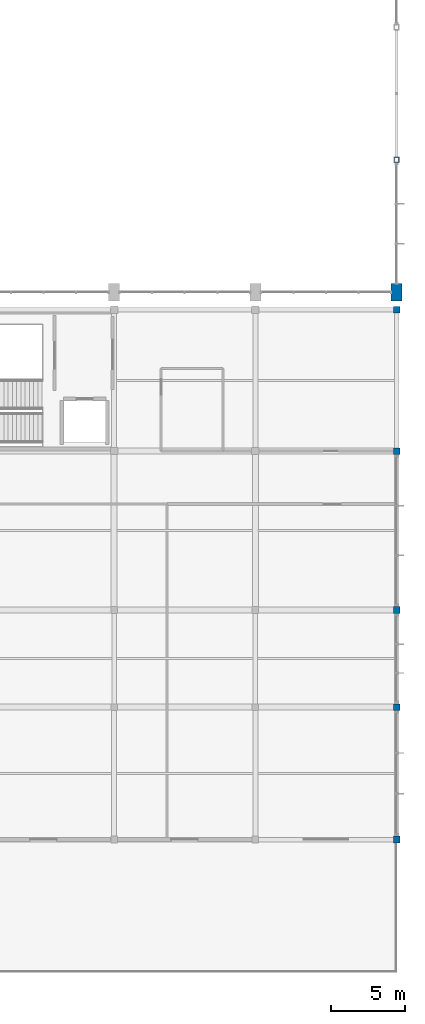
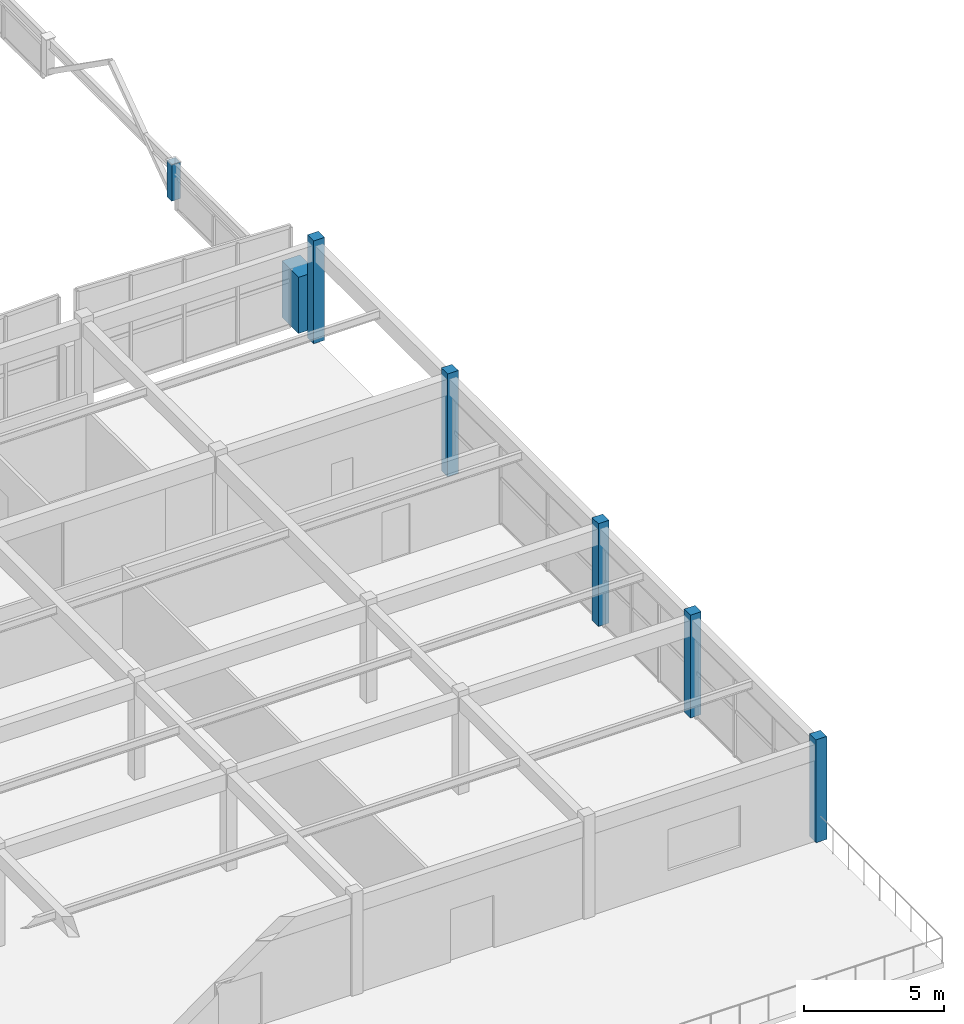
# One storey, part 4 of 89: 7 columns.
"""IFC4 building model written with IfcOpenShell, lengths in metres."""

from ifc_helpers import new_model, si_unit, direction, frame, origin, origin_2d, place, context, subcontext, project, spatial, rectangle, hollow_rectangle, extrude, material, material_profile, profile_set, type_object, element, save


model = new_model("IFC4")

# Units and contexts
model_context = context("Model", 3, precision=1e-05, world=origin(), true_north=direction((0.0, 1.0)))
body_context = subcontext(model_context, "Body", "Model", "MODEL_VIEW")
ifc_project = project(units=[si_unit("LENGTHUNIT", "METRE"), si_unit("AREAUNIT", "SQUARE_METRE"), si_unit("VOLUMEUNIT", "CUBIC_METRE"), si_unit("PLANEANGLEUNIT", "RADIAN"), si_unit("MASSUNIT", "GRAM", prefix="KILO")], contexts=[model_context])

# Site, building, storey
site_placement = place(None, origin())
site = spatial("IfcSite", under=ifc_project, at=site_placement, CompositionType="ELEMENT")
building_placement = place(site_placement, origin())
building = spatial("IfcBuilding", under=site, at=building_placement, Name="Suirenkawa Promenade Aquatics Centre", CompositionType="ELEMENT")
storey_placement = place(building_placement, frame((0.0, 0.0, 9.60009765625)))
storey = spatial("IfcBuildingStorey", under=building, at=storey_placement, Name="L02", CompositionType="ELEMENT", Elevation=9.60009765625)

# Columns
ifc_material_1 = material(Name="Concrete M40", Category="concrete")
ifc_material_profile_1 = material_profile(ifc_material_1, rectangle(XDim=0.75, YDim=1.199951171875, at=origin_2d()), Name="RC PIER 750x1200", Category="concrete")
ifc_profile_set_1 = profile_set([ifc_material_profile_1], Name="Concrete M40")
column_type_1 = type_object("IfcColumnType", Name="CT-PIER-750x1200", PredefinedType="COLUMN", material=ifc_profile_set_1)
column_1_placement = place(storey_placement, frame((194.39990234375, 50.39990234375, 0.0), z_axis=(0.0, 0.0, 1.0), x_axis=(1.0, 0.0, 0.0)))
element("IfcColumn", 1, at=column_1_placement, inside=storey, type_object=column_type_1, Name="Column CL-08 COL-0099", PredefinedType="COLUMN", context=body_context, shape_type="SweptSolid", body=[
    extrude(rectangle(XDim=0.75, YDim=1.199951171875, at=origin_2d()), origin(), (0.0, 0.0, 1.0), 2.4599609375),
])
ifc_material_profile_2 = material_profile(ifc_material_1, rectangle(XDim=0.449951171875, YDim=0.449951171875, at=origin_2d()), Name="RC COL 450x450", Category="concrete")
ifc_profile_set_2 = profile_set([ifc_material_profile_2], Name="Concrete M40")
column_type_2 = type_object("IfcColumnType", Name="CT-RC-450", PredefinedType="COLUMN", material=ifc_profile_set_2)
for number, where, z_axis, x_axis, name in (
    (2, (194.39990234375, 13.199951171875, 0.0), (0.0, 0.0, 1.0), (1.0, 0.0, 0.0), "Column CL-01 COL-0699"),
    (3, (194.39990234375, 22.199951171875, 0.0), (0.0, 0.0, 1.0), (1.0, 0.0, 0.0), "Column CL-01 COL-0703"),
    (4, (194.39990234375, 28.800048828125, 0.0), (0.0, 0.0, 1.0), (1.0, 0.0, 0.0), "Column CL-01 COL-0707"),
    (5, (194.39990234375, 39.60009765625, 0.0), (0.0, 0.0, 1.0), (1.0, 0.0, 0.0), "Column CL-01 COL-0711"),
    (6, (194.39990234375, 49.199951171875, 0.0), (0.0, 0.0, 1.0), (1.0, 0.0, 0.0), "Column CL-01 COL-0715"),
):
    element("IfcColumn", number, at=place(storey_placement, frame(where, z_axis=z_axis, x_axis=x_axis)), inside=storey, type_object=column_type_2, Name=name, PredefinedType="COLUMN", context=body_context, shape_type="SweptSolid", body=[
        extrude(rectangle(XDim=0.449951171875, YDim=0.449951171875, at=origin_2d()), origin(), (0.0, 0.0, 1.0), 4.5),
    ])
ifc_material_2 = material(Name="Steel IS 2062 E350 (Grade 350)", Category="steel")
ifc_material_profile_3 = material_profile(ifc_material_2, hollow_rectangle(XDim=0.35009765625, YDim=0.35009765625, WallThickness=0.01611328125, at=origin_2d()), Name="SHS 350x350x16", Category="steel")
ifc_profile_set_3 = profile_set([ifc_material_profile_3], Name="Steel IS 2062 E350 (Grade 350)")
column_type_3 = type_object("IfcColumnType", Name="CT-STL-SHS350", PredefinedType="COLUMN", material=ifc_profile_set_3)
column_2_placement = place(storey_placement, frame((194.39990234375, 59.39990234375, 0.0), z_axis=(0.0, 0.0, 1.0), x_axis=(1.0, 0.0, 0.0)))
element("IfcColumn", 7, at=column_2_placement, inside=storey, type_object=column_type_3, Name="Column CL-15 COL-0631", PredefinedType="COLUMN", context=body_context, shape_type="SweptSolid", body=[
    extrude(hollow_rectangle(XDim=0.35009765625, YDim=0.35009765625, WallThickness=0.01611328125, at=origin_2d()), origin(), (0.0, 0.0, 1.0), 1.599853515625),
])

save(model, "model.ifc")
